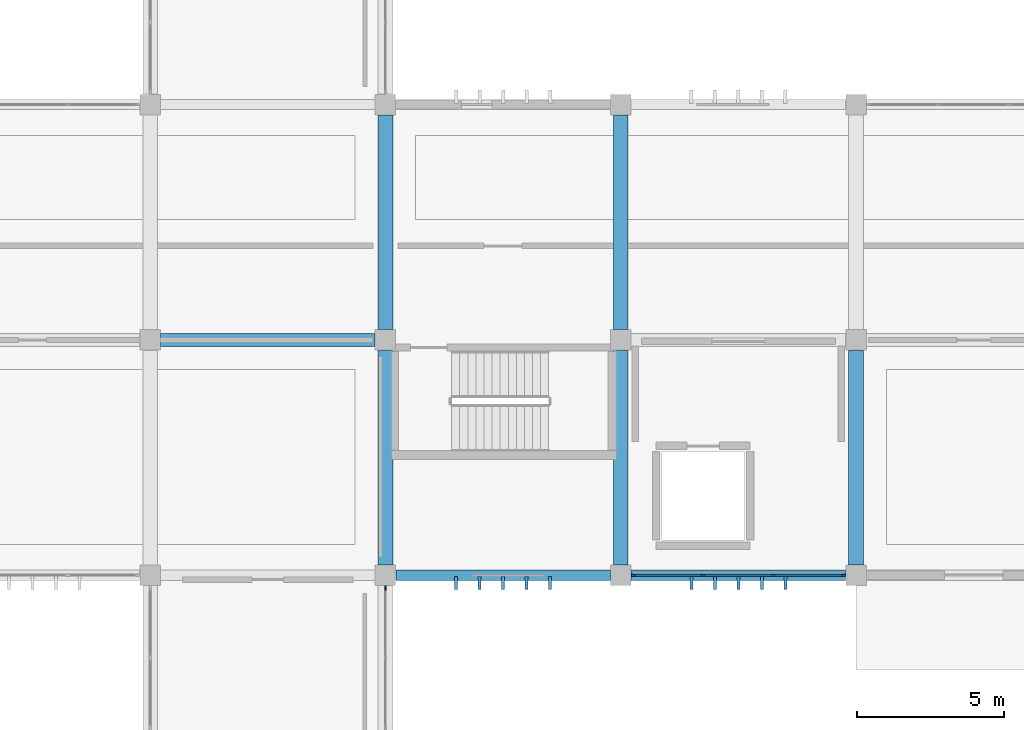
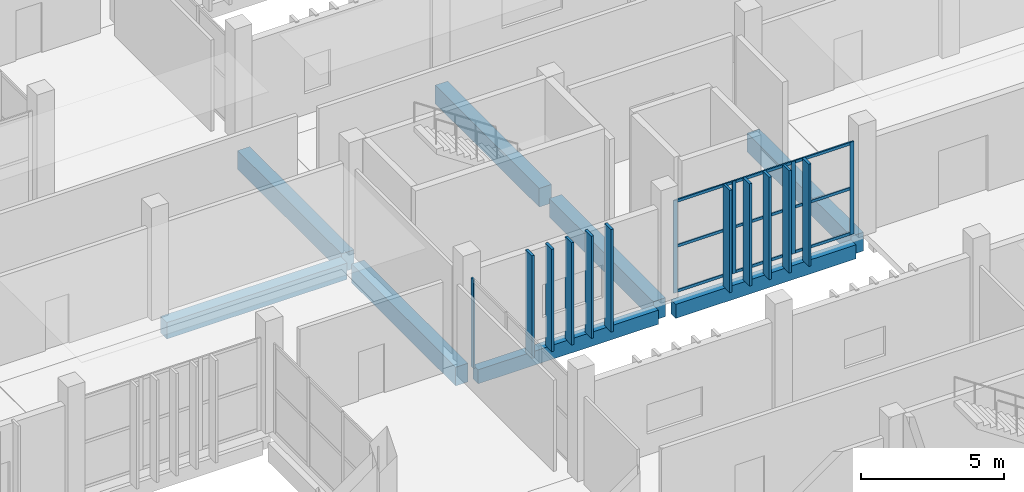
# One storey, part 40 of 117: 24 members, 8 beams, 2 elements without a shape of their own.
"""IFC4 building model written with IfcOpenShell, lengths in metres."""

from ifc_helpers import new_model, si_unit, direction, frame, origin, origin_2d, place, context, subcontext, project, spatial, rectangle, extrude, material, layer, layer_set, material_profile, profile_set, type_object, element, aggregate, save


model = new_model("IFC4")

# Units and contexts
model_context = context("Model", 3, precision=1e-05, world=origin(), true_north=direction((0.0, 1.0)))
body_context = subcontext(model_context, "Body", "Model", "MODEL_VIEW")
ifc_project = project(units=[si_unit("LENGTHUNIT", "METRE"), si_unit("AREAUNIT", "SQUARE_METRE"), si_unit("VOLUMEUNIT", "CUBIC_METRE"), si_unit("PLANEANGLEUNIT", "RADIAN"), si_unit("MASSUNIT", "GRAM", prefix="KILO")], contexts=[model_context])

# Site, building, storey
site_placement = place(None, origin())
site = spatial("IfcSite", under=ifc_project, at=site_placement, CompositionType="ELEMENT")
building_placement = place(site_placement, origin())
building = spatial("IfcBuilding", under=site, at=building_placement, Name="Jelvoka-Kovrelna Polytechnic", CompositionType="ELEMENT")
storey_placement = place(building_placement, origin())
storey = spatial("IfcBuildingStorey", under=building, at=storey_placement, Name="L01", CompositionType="ELEMENT", Elevation=0.0)

# Beams
ifc_material_1 = material(Name="Concrete C40/50", Category="concrete")
ifc_material_profile_1 = material_profile(ifc_material_1, rectangle(XDim=0.449951171875, YDim=0.699951171875, at=origin_2d()), Name="RC 450x700")
ifc_profile_set_1 = profile_set([ifc_material_profile_1], Name="Concrete C40/50")
beam_type_1 = type_object("IfcBeamType", Name="Beam_RC_450x700", PredefinedType="BEAM", material=ifc_profile_set_1)
beam_placement = place(storey_placement, frame((72.35498046875, 40.0, -0.7548828125), z_axis=(1.0, 0.0, 0.0), x_axis=(0.0, 1.0, 0.0)))
element("IfcBeam", 1, at=beam_placement, inside=storey, type_object=beam_type_1, Name="L01 beam 0375", PredefinedType="BEAM", context=body_context, shape_type="SweptSolid", body=[
    extrude(rectangle(XDim=0.449951171875, YDim=0.699951171875, at=origin_2d()), origin(), (0.0, 0.0, 1.0), 7.2900390625),
])
ifc_material_2 = material(Name="Concrete C40/50", Category="concrete")
ifc_material_profile_2 = material_profile(ifc_material_2, rectangle(XDim=0.5, YDim=0.800048828125, at=origin_2d()), Name="RC 500x800")
ifc_profile_set_2 = profile_set([ifc_material_profile_2], Name="Concrete C40/50")
beam_type_2 = type_object("IfcBeamType", Name="Beam_RC_500x800", PredefinedType="BEAM", material=ifc_profile_set_2)
for number, where, z_axis, x_axis, name in (
    (2, (80.0, 32.35498046875, -0.804931640625), (0.0, 1.0, 0.0), (-1.0, 0.0, 0.0), "L01 beam 0392"),
    (3, (80.0, 40.35498046875, -0.804931640625), (0.0, 1.0, 0.0), (-1.0, 0.0, 0.0), "L01 beam 0393"),
    (4, (88.0, 32.35498046875, -0.804931640625), (0.0, 1.0, 0.0), (-1.0, 0.0, 0.0), "L01 beam 0394"),
    (5, (88.0, 40.35498046875, -0.804931640625), (0.0, 1.0, 0.0), (-1.0, 0.0, 0.0), "L01 beam 0395"),
    (6, (96.0, 32.35498046875, -0.804931640625), (0.0, 1.0, 0.0), (-1.0, 0.0, 0.0), "L01 beam 0396"),
):
    element("IfcBeam", number, at=place(storey_placement, frame(where, z_axis=z_axis, x_axis=x_axis)), inside=storey, type_object=beam_type_2, Name=name, PredefinedType="BEAM", context=body_context, shape_type="SweptSolid", body=[
        extrude(rectangle(XDim=0.5, YDim=0.800048828125, at=origin_2d()), origin(), (0.0, 0.0, 1.0), 7.2900390625),
    ])

# Members
ifc_material_3 = material(Name="Precast concrete C40/50", Category="concrete")
ifc_material_profile_3 = material_profile(ifc_material_3, rectangle(XDim=0.10009765625, YDim=0.449951171875, at=origin_2d()), Name="PC 100x450")
ifc_profile_set_3 = profile_set([ifc_material_profile_3], Name="Precast concrete C40/50")
member_type_1 = type_object("IfcMemberType", Name="Louvre_Fin_100x450", PredefinedType="USERDEFINED", material=ifc_profile_set_3)
for number, where, z_axis, x_axis, name in (
    (7, (82.39990234375, 31.735107421875, -0.419921875), (0.0, 0.0, 1.0), (1.0, 0.0, 0.0), "L01 B2W south vertical solar louvre fin 0571"),
    (8, (83.199951171875, 31.735107421875, -0.419921875), (0.0, 0.0, 1.0), (1.0, 0.0, 0.0), "L01 B2W south vertical solar louvre fin 0572"),
    (9, (84.0, 31.735107421875, -0.419921875), (0.0, 0.0, 1.0), (1.0, 0.0, 0.0), "L01 B2W south vertical solar louvre fin 0573"),
    (10, (84.800048828125, 31.735107421875, -0.419921875), (0.0, 0.0, 1.0), (1.0, 0.0, 0.0), "L01 B2W south vertical solar louvre fin 0574"),
    (11, (85.60009765625, 31.735107421875, -0.419921875), (0.0, 0.0, 1.0), (1.0, 0.0, 0.0), "L01 B2W south vertical solar louvre fin 0575"),
    (12, (90.39990234375, 31.735107421875, -0.419921875), (0.0, 0.0, 1.0), (1.0, 0.0, 0.0), "L01 B2W south vertical solar louvre fin 0581"),
    (13, (91.199951171875, 31.735107421875, -0.419921875), (0.0, 0.0, 1.0), (1.0, 0.0, 0.0), "L01 B2W south vertical solar louvre fin 0582"),
    (14, (92.0, 31.735107421875, -0.419921875), (0.0, 0.0, 1.0), (1.0, 0.0, 0.0), "L01 B2W south vertical solar louvre fin 0583"),
    (15, (92.800048828125, 31.735107421875, -0.419921875), (0.0, 0.0, 1.0), (1.0, 0.0, 0.0), "L01 B2W south vertical solar louvre fin 0584"),
    (16, (93.60009765625, 31.735107421875, -0.419921875), (0.0, 0.0, 1.0), (1.0, 0.0, 0.0), "L01 B2W south vertical solar louvre fin 0585"),
):
    element("IfcMember", number, at=place(storey_placement, frame(where, z_axis=z_axis, x_axis=x_axis)), inside=storey, type_object=member_type_1, Name=name, ObjectType="SUNSHADE", PredefinedType="USERDEFINED", context=body_context, shape_type="SweptSolid", body=[
        extrude(rectangle(XDim=0.10009765625, YDim=0.449951171875, at=origin_2d()), origin(), (0.0, 0.0, 1.0), 4.3798828125),
    ])

# Curtain wall, members
ifc_material_4 = material(Name="Anodised aluminium 6063-T6", Category="aluminium")
ifc_layer_1 = layer(ifc_material_4, 0.159912109375)
ifc_layer_set_1 = layer_set([ifc_layer_1], Name="Anodised aluminium 6063-T6")
curtain_wall_type_1 = type_object("IfcCurtainWallType", Name="CW_Recessed_A", PredefinedType="NOTDEFINED", material=ifc_layer_set_1)
curtain_wall_1_placement = place(storey_placement, origin())
curtain_wall_1 = element("IfcCurtainWall", 17, at=curtain_wall_1_placement, inside=storey, type_object=curtain_wall_type_1, Name="L01 glazed curtain wall 011", PredefinedType="NOTDEFINED")
ifc_material_5 = material(Name="Anodised aluminium 6063-T6", Category="aluminium")
ifc_material_profile_4 = material_profile(ifc_material_5, rectangle(XDim=0.06005859375, YDim=0.159912109375, at=origin_2d()), Name="ALU 60x160")
ifc_profile_set_4 = profile_set([ifc_material_profile_4], Name="Anodised aluminium 6063-T6")
member_type_2 = type_object("IfcMemberType", Name="Mullion_M-01", PredefinedType="MULLION", material=ifc_profile_set_4)
member_1_placement = place(storey_placement, frame((95.570068359375, 32.0, -0.02490234375), z_axis=(0.0, 0.0, 1.0), x_axis=(0.0, -1.0, 0.0)))
member_1 = element("IfcMember", 18, at=member_1_placement, type_object=member_type_2, Name="CW-01 mullion 1", PredefinedType="MULLION", context=body_context, shape_type="SweptSolid", body=[
    extrude(rectangle(XDim=0.06005859375, YDim=0.159912109375, at=origin_2d()), origin(), (0.0, 0.0, 1.0), 3.9599609375),
])
member_2_placement = place(storey_placement, frame((93.199951171875, 32.0, -0.02490234375), z_axis=(0.0, 0.0, 1.0), x_axis=(0.0, -1.0, 0.0)))
member_2 = element("IfcMember", 19, at=member_2_placement, type_object=member_type_2, Name="CW-01 mullion 2", PredefinedType="MULLION", context=body_context, shape_type="SweptSolid", body=[
    extrude(rectangle(XDim=0.06005859375, YDim=0.159912109375, at=origin_2d()), origin(), (0.0, 0.0, 1.0), 3.9599609375),
])
member_3_placement = place(storey_placement, frame((90.800048828125, 32.0, -0.02490234375), z_axis=(0.0, 0.0, 1.0), x_axis=(0.0, -1.0, 0.0)))
member_3 = element("IfcMember", 20, at=member_3_placement, type_object=member_type_2, Name="CW-01 mullion 3", PredefinedType="MULLION", context=body_context, shape_type="SweptSolid", body=[
    extrude(rectangle(XDim=0.06005859375, YDim=0.159912109375, at=origin_2d()), origin(), (0.0, 0.0, 1.0), 3.9599609375),
])
member_4_placement = place(storey_placement, frame((88.429931640625, 32.0, -0.02490234375), z_axis=(0.0, 0.0, 1.0), x_axis=(0.0, -1.0, 0.0)))
member_4 = element("IfcMember", 21, at=member_4_placement, type_object=member_type_2, Name="CW-01 mullion 4", PredefinedType="MULLION", context=body_context, shape_type="SweptSolid", body=[
    extrude(rectangle(XDim=0.06005859375, YDim=0.159912109375, at=origin_2d()), origin(), (0.0, 0.0, 1.0), 3.9599609375),
])

# Curtain wall, member
ifc_material_6 = material(Name="Anodised aluminium 6063-T6", Category="aluminium")
ifc_layer_2 = layer(ifc_material_6, 0.159912109375)
ifc_layer_set_2 = layer_set([ifc_layer_2], Name="Anodised aluminium 6063-T6")
curtain_wall_type_2 = type_object("IfcCurtainWallType", Name="CW_LinkBridge", PredefinedType="NOTDEFINED", material=ifc_layer_set_2)
curtain_wall_2_placement = place(storey_placement, origin())
curtain_wall_2 = element("IfcCurtainWall", 22, at=curtain_wall_2_placement, inside=storey, type_object=curtain_wall_type_2, Name="L01 glazed curtain wall 105", PredefinedType="NOTDEFINED")
ifc_material_7 = material(Name="Anodised aluminium 6063-T6", Category="aluminium")
ifc_material_profile_5 = material_profile(ifc_material_7, rectangle(XDim=0.06005859375, YDim=0.159912109375, at=origin_2d()), Name="ALU 60x160")
ifc_profile_set_5 = profile_set([ifc_material_profile_5], Name="Anodised aluminium 6063-T6")
member_type_3 = type_object("IfcMemberType", Name="Mullion_M-04", PredefinedType="MULLION", material=ifc_profile_set_5)
member_5_placement = place(storey_placement, frame((80.0, 31.570068359375, -0.02490234375), z_axis=(0.0, 0.0, 1.0), x_axis=(1.0, 0.0, 0.0)))
member_5 = element("IfcMember", 23, at=member_5_placement, type_object=member_type_3, Name="CW-04 mullion 1", PredefinedType="MULLION", context=body_context, shape_type="SweptSolid", body=[
    extrude(rectangle(XDim=0.06005859375, YDim=0.159912109375, at=origin_2d()), origin(), (0.0, 0.0, 1.0), 3.81005859375),
])
aggregate(curtain_wall_2, [member_5])

# Beams
ifc_material_8 = material(Name="Concrete C40/50", Category="concrete")
ifc_material_profile_6 = material_profile(ifc_material_8, rectangle(XDim=0.35009765625, YDim=0.60009765625, at=origin_2d()), Name="RC 350x600")
ifc_profile_set_6 = profile_set([ifc_material_profile_6], Name="Concrete C40/50")
beam_type_3 = type_object("IfcBeamType", Name="Spandrel_RC_350x600", PredefinedType="SPANDREL", material=ifc_profile_set_6)
for number, where, z_axis, x_axis, name in (
    (24, (80.35498046875, 32.0, -0.705078125), (1.0, 0.0, 0.0), (0.0, 1.0, 0.0), "L01 beam 0369"),
    (25, (88.35498046875, 32.0, -0.705078125), (1.0, 0.0, 0.0), (0.0, 1.0, 0.0), "L01 beam 0370"),
):
    element("IfcBeam", number, at=place(storey_placement, frame(where, z_axis=z_axis, x_axis=x_axis)), inside=storey, type_object=beam_type_3, Name=name, PredefinedType="SPANDREL", context=body_context, shape_type="SweptSolid", body=[
        extrude(rectangle(XDim=0.35009765625, YDim=0.60009765625, at=origin_2d()), origin(), (0.0, 0.0, 1.0), 7.2900390625),
    ])

# Member
ifc_material_9 = material(Name="Anodised aluminium 6063-T6", Category="aluminium")
ifc_material_profile_7 = material_profile(ifc_material_9, rectangle(XDim=0.06005859375, YDim=0.1201171875, at=origin_2d()), Name="ALU 60x120")
ifc_profile_set_7 = profile_set([ifc_material_profile_7], Name="Anodised aluminium 6063-T6")
member_type_4 = type_object("IfcMemberType", Name="Transom_T-01", PredefinedType="USERDEFINED", material=ifc_profile_set_7)
member_6_placement = place(storey_placement, frame((95.5400390625, 32.0, 0.030029296875), z_axis=(-1.0, 0.0, 0.0), x_axis=(0.0, -1.0, 0.0)))
member_6 = element("IfcMember", 26, at=member_6_placement, type_object=member_type_4, Name="CW-01 transom 1.1", ObjectType="TRANSOM", PredefinedType="USERDEFINED", context=body_context, shape_type="SweptSolid", body=[
    extrude(rectangle(XDim=0.06005859375, YDim=0.1201171875, at=origin_2d()), origin(), (0.0, 0.0, 1.0), 2.31005859375),
])

member_7_placement = place(storey_placement, frame((95.5400390625, 32.0, 1.955078125), z_axis=(-1.0, 0.0, 0.0), x_axis=(0.0, -1.0, 0.0)))
member_7 = element("IfcMember", 27, at=member_7_placement, type_object=member_type_4, Name="CW-01 transom 1.2", ObjectType="TRANSOM", PredefinedType="USERDEFINED", context=body_context, shape_type="SweptSolid", body=[
    extrude(rectangle(XDim=0.06005859375, YDim=0.1201171875, at=origin_2d()), origin(), (0.0, 0.0, 1.0), 2.31005859375),
])

member_8_placement = place(storey_placement, frame((95.5400390625, 32.0, 3.8798828125), z_axis=(-1.0, 0.0, 0.0), x_axis=(0.0, -1.0, 0.0)))
member_8 = element("IfcMember", 28, at=member_8_placement, type_object=member_type_4, Name="CW-01 transom 1.3", ObjectType="TRANSOM", PredefinedType="USERDEFINED", context=body_context, shape_type="SweptSolid", body=[
    extrude(rectangle(XDim=0.06005859375, YDim=0.1201171875, at=origin_2d()), origin(), (0.0, 0.0, 1.0), 2.31005859375),
])

member_9_placement = place(storey_placement, frame((93.169921875, 32.0, 0.030029296875), z_axis=(-1.0, 0.0, 0.0), x_axis=(0.0, -1.0, 0.0)))
member_9 = element("IfcMember", 29, at=member_9_placement, type_object=member_type_4, Name="CW-01 transom 2.1", ObjectType="TRANSOM", PredefinedType="USERDEFINED", context=body_context, shape_type="SweptSolid", body=[
    extrude(rectangle(XDim=0.06005859375, YDim=0.1201171875, at=origin_2d()), origin(), (0.0, 0.0, 1.0), 2.33984375),
])

member_10_placement = place(storey_placement, frame((93.169921875, 32.0, 1.955078125), z_axis=(-1.0, 0.0, 0.0), x_axis=(0.0, -1.0, 0.0)))
member_10 = element("IfcMember", 30, at=member_10_placement, type_object=member_type_4, Name="CW-01 transom 2.2", ObjectType="TRANSOM", PredefinedType="USERDEFINED", context=body_context, shape_type="SweptSolid", body=[
    extrude(rectangle(XDim=0.06005859375, YDim=0.1201171875, at=origin_2d()), origin(), (0.0, 0.0, 1.0), 2.33984375),
])

member_11_placement = place(storey_placement, frame((93.169921875, 32.0, 3.8798828125), z_axis=(-1.0, 0.0, 0.0), x_axis=(0.0, -1.0, 0.0)))
member_11 = element("IfcMember", 31, at=member_11_placement, type_object=member_type_4, Name="CW-01 transom 2.3", ObjectType="TRANSOM", PredefinedType="USERDEFINED", context=body_context, shape_type="SweptSolid", body=[
    extrude(rectangle(XDim=0.06005859375, YDim=0.1201171875, at=origin_2d()), origin(), (0.0, 0.0, 1.0), 2.33984375),
])

member_12_placement = place(storey_placement, frame((90.77001953125, 32.0, 0.030029296875), z_axis=(-1.0, 0.0, 0.0), x_axis=(0.0, -1.0, 0.0)))
member_12 = element("IfcMember", 32, at=member_12_placement, type_object=member_type_4, Name="CW-01 transom 3.1", ObjectType="TRANSOM", PredefinedType="USERDEFINED", context=body_context, shape_type="SweptSolid", body=[
    extrude(rectangle(XDim=0.06005859375, YDim=0.1201171875, at=origin_2d()), origin(), (0.0, 0.0, 1.0), 2.31005859375),
])

member_13_placement = place(storey_placement, frame((90.77001953125, 32.0, 1.955078125), z_axis=(-1.0, 0.0, 0.0), x_axis=(0.0, -1.0, 0.0)))
member_13 = element("IfcMember", 33, at=member_13_placement, type_object=member_type_4, Name="CW-01 transom 3.2", ObjectType="TRANSOM", PredefinedType="USERDEFINED", context=body_context, shape_type="SweptSolid", body=[
    extrude(rectangle(XDim=0.06005859375, YDim=0.1201171875, at=origin_2d()), origin(), (0.0, 0.0, 1.0), 2.31005859375),
])

member_14_placement = place(storey_placement, frame((90.77001953125, 32.0, 3.8798828125), z_axis=(-1.0, 0.0, 0.0), x_axis=(0.0, -1.0, 0.0)))
member_14 = element("IfcMember", 34, at=member_14_placement, type_object=member_type_4, Name="CW-01 transom 3.3", ObjectType="TRANSOM", PredefinedType="USERDEFINED", context=body_context, shape_type="SweptSolid", body=[
    extrude(rectangle(XDim=0.06005859375, YDim=0.1201171875, at=origin_2d()), origin(), (0.0, 0.0, 1.0), 2.31005859375),
])

aggregate(curtain_wall_1, [member_1, member_2, member_3, member_4, member_6, member_7, member_8, member_9, member_10, member_11, member_12, member_13, member_14])

save(model, "model.ifc")
